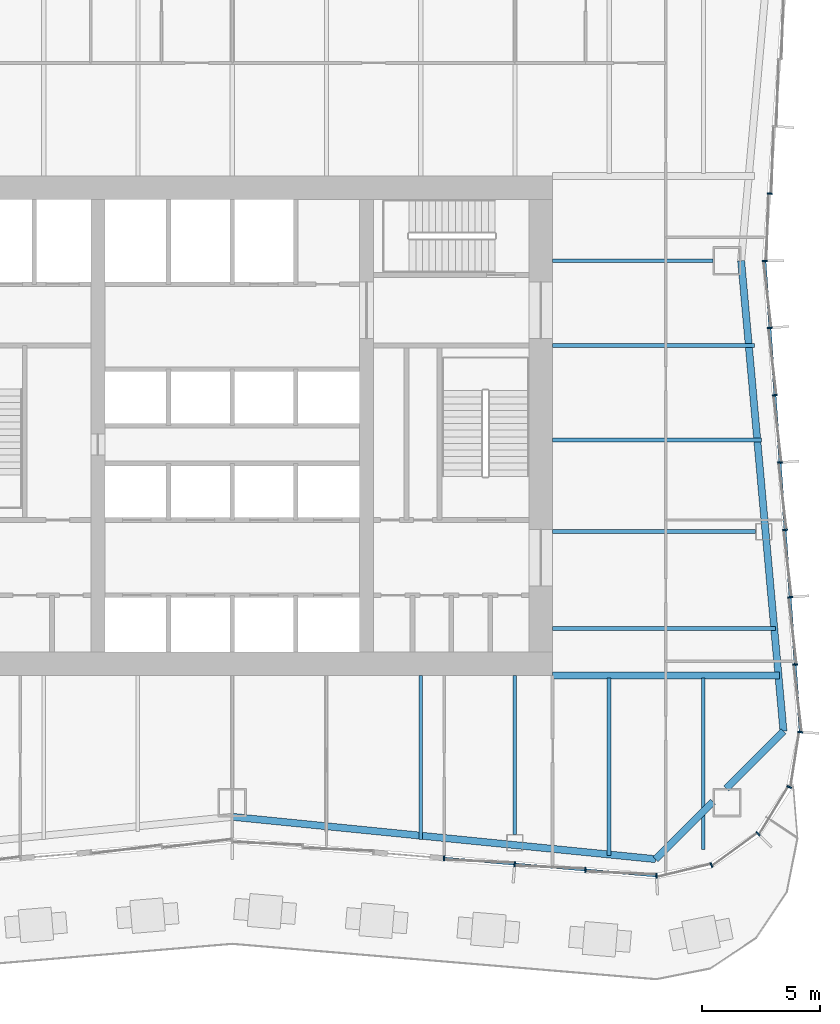
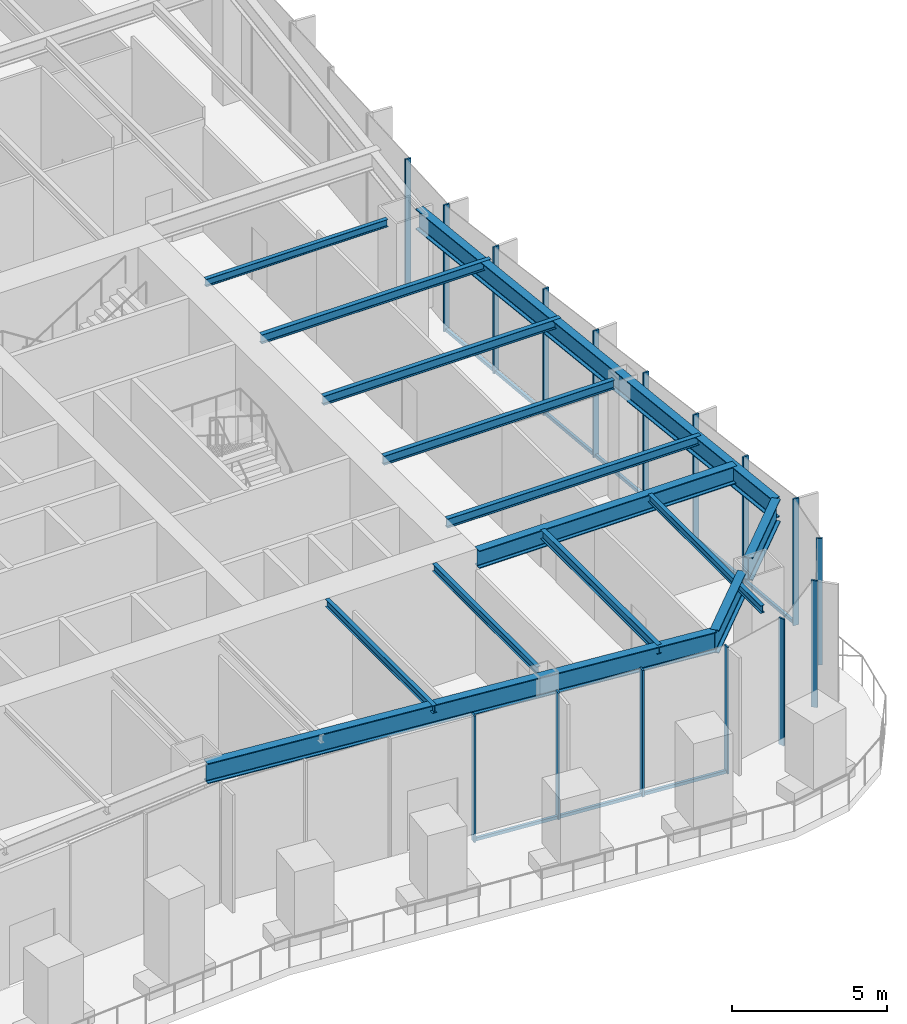
# One storey, part 3 of 15: 18 members, 14 beams, 3 elements without a shape of their own.
"""IFC4 building model written with IfcOpenShell, lengths in metres."""

from ifc_helpers import new_model, si_unit, direction, frame, origin, origin_2d, place, context, subcontext, project, spatial, rectangle, i_section, extrude, material, material_profile, profile_set, type_object, element, aggregate, save


model = new_model("IFC4")

# Units and contexts
model_context = context("Model", 3, precision=1e-05, world=origin(), true_north=direction((0.0, 1.0)))
body_context = subcontext(model_context, "Body", "Model", "MODEL_VIEW")
ifc_project = project(units=[si_unit("LENGTHUNIT", "METRE"), si_unit("AREAUNIT", "SQUARE_METRE"), si_unit("VOLUMEUNIT", "CUBIC_METRE"), si_unit("PLANEANGLEUNIT", "RADIAN"), si_unit("MASSUNIT", "GRAM", prefix="KILO")], contexts=[model_context])

# Site, building, storey
site_placement = place(None, origin())
site = spatial("IfcSite", under=ifc_project, at=site_placement, CompositionType="ELEMENT")
building_placement = place(site_placement, origin())
building = spatial("IfcBuilding", under=site, at=building_placement, Name="Verdant Reach Tower", CompositionType="ELEMENT")
storey_placement = place(building_placement, frame((0.0, 0.0, 121.0)))
storey = spatial("IfcBuildingStorey", under=building, at=storey_placement, Name="L27", CompositionType="ELEMENT", Elevation=121.0)

# Curtain wall, members
ifc_material_1 = material(Name="Anodised aluminium", Category="aluminium")
curtain_wall_type = type_object("IfcCurtainWallType", Name="EN-CW SYSTEM Z2", PredefinedType="NOTDEFINED", material=ifc_material_1)
curtain_wall_1_placement = place(storey_placement, origin())
curtain_wall_1 = element("IfcCurtainWall", 1, at=curtain_wall_1_placement, inside=storey, type_object=curtain_wall_type, Name="Curtain wall south-east corner, L27", PredefinedType="NOTDEFINED")
ifc_material_profile_1 = material_profile(ifc_material_1, rectangle(XDim=0.2119140625, YDim=0.06396484375, at=origin_2d()), Name="Mullion 64x212")
ifc_profile_set_1 = profile_set([ifc_material_profile_1], Name="Anodised aluminium")
member_type_1 = type_object("IfcMemberType", Name="EN-MULLION Z2", PredefinedType="MULLION", material=ifc_profile_set_1)
member_1_placement = place(storey_placement, frame((18.006103515625, 8.894287109375, -0.35009765625), z_axis=(0.0, 0.0, 1.0), x_axis=(0.056569187765, -0.998398681387, 0.0)))
member_1 = element("IfcMember", 2, at=member_1_placement, type_object=member_type_1, Name="Mullion south-east corner 1, L27", PredefinedType="MULLION", context=body_context, shape_type="SweptSolid", body=[
    extrude(rectangle(XDim=0.2119140625, YDim=0.06396484375, at=origin_2d()), origin(), (0.0, 0.0, 1.0), 5.0),
])
member_2_placement = place(storey_placement, frame((20.336669921875, 9.35888671875, -0.35009765625), z_axis=(0.0, 0.0, 1.0), x_axis=(0.382693853776, -0.923875215753, 0.0)))
member_2 = element("IfcMember", 3, at=member_2_placement, type_object=member_type_1, Name="Mullion south-east corner 2, L27", PredefinedType="MULLION", context=body_context, shape_type="SweptSolid", body=[
    extrude(rectangle(XDim=0.2119140625, YDim=0.06396484375, at=origin_2d()), origin(), (0.0, 0.0, 1.0), 5.0),
])
member_3_placement = place(storey_placement, frame((22.317626953125, 10.682373046875, -0.35009765625), z_axis=(0.0, 0.0, 1.0), x_axis=(0.707106781187, -0.707106781187, 0.0)))
member_3 = element("IfcMember", 4, at=member_3_placement, type_object=member_type_1, Name="Mullion south-east corner 3, L27", PredefinedType="MULLION", context=body_context, shape_type="SweptSolid", body=[
    extrude(rectangle(XDim=0.2119140625, YDim=0.06396484375, at=origin_2d()), origin(), (0.0, 0.0, 1.0), 5.0),
])
member_4_placement = place(storey_placement, frame((23.64111328125, 12.663330078125, -0.35009765625), z_axis=(0.0, 0.0, 1.0), x_axis=(0.923875215753, -0.382693853776, 0.0)))
member_4 = element("IfcMember", 5, at=member_4_placement, type_object=member_type_1, Name="Mullion south-east corner 4, L27", PredefinedType="MULLION", context=body_context, shape_type="SweptSolid", body=[
    extrude(rectangle(XDim=0.2119140625, YDim=0.06396484375, at=origin_2d()), origin(), (0.0, 0.0, 1.0), 5.0),
])
aggregate(curtain_wall_1, [member_1, member_2, member_3, member_4])

curtain_wall_2_placement = place(storey_placement, origin())
curtain_wall_2 = element("IfcCurtainWall", 6, at=curtain_wall_2_placement, inside=storey, type_object=curtain_wall_type, Name="Curtain wall east, L27", PredefinedType="NOTDEFINED")
member_5_placement = place(storey_placement, frame((24.105712890625, 14.99365234375, -0.35009765625), z_axis=(0.0, 0.0, 1.0), x_axis=(0.998155887542, -0.060702752526, 0.0)))
member_5 = element("IfcMember", 7, at=member_5_placement, type_object=member_type_1, Name="Mullion east face part 1 1, L27", PredefinedType="MULLION", context=body_context, shape_type="SweptSolid", body=[
    extrude(rectangle(XDim=0.2119140625, YDim=0.06396484375, at=origin_2d()), origin(), (0.0, 0.0, 1.0), 5.0),
])
member_6_placement = place(storey_placement, frame((23.891357421875, 17.864990234375, -0.35009765625), z_axis=(0.0, 0.0, 1.0), x_axis=(0.997199309888, 0.074789948245, 0.0)))
member_6 = element("IfcMember", 8, at=member_6_placement, type_object=member_type_1, Name="Mullion east face part 1 2, L27", PredefinedType="MULLION", context=body_context, shape_type="SweptSolid", body=[
    extrude(rectangle(XDim=0.2119140625, YDim=0.06396484375, at=origin_2d()), origin(), (0.0, 0.0, 1.0), 5.0),
])
member_7_placement = place(storey_placement, frame((23.67724609375, 20.72216796875, -0.35009765625), z_axis=(0.0, 0.0, 1.0), x_axis=(0.997199309888, 0.074789948245, 0.0)))
member_7 = element("IfcMember", 9, at=member_7_placement, type_object=member_type_1, Name="Mullion east face part 1 3, L27", PredefinedType="MULLION", context=body_context, shape_type="SweptSolid", body=[
    extrude(rectangle(XDim=0.2119140625, YDim=0.06396484375, at=origin_2d()), origin(), (0.0, 0.0, 1.0), 5.0),
])
member_8_placement = place(storey_placement, frame((23.462890625, 23.579345703125, -0.35009765625), z_axis=(0.0, 0.0, 1.0), x_axis=(0.997199309888, 0.074789948245, 0.0)))
member_8 = element("IfcMember", 10, at=member_8_placement, type_object=member_type_1, Name="Mullion east face part 1 4, L27", PredefinedType="MULLION", context=body_context, shape_type="SweptSolid", body=[
    extrude(rectangle(XDim=0.2119140625, YDim=0.06396484375, at=origin_2d()), origin(), (0.0, 0.0, 1.0), 5.0),
])
member_9_placement = place(storey_placement, frame((23.24853515625, 26.4365234375, -0.35009765625), z_axis=(0.0, 0.0, 1.0), x_axis=(0.997199309888, 0.074789948245, 0.0)))
member_9 = element("IfcMember", 11, at=member_9_placement, type_object=member_type_1, Name="Mullion east face part 1 5, L27", PredefinedType="MULLION", context=body_context, shape_type="SweptSolid", body=[
    extrude(rectangle(XDim=0.2119140625, YDim=0.06396484375, at=origin_2d()), origin(), (0.0, 0.0, 1.0), 5.0),
])
member_10_placement = place(storey_placement, frame((23.0341796875, 29.293701171875, -0.35009765625), z_axis=(0.0, 0.0, 1.0), x_axis=(0.997199309888, 0.074789948245, 0.0)))
member_10 = element("IfcMember", 12, at=member_10_placement, type_object=member_type_1, Name="Mullion east face part 1 6, L27", PredefinedType="MULLION", context=body_context, shape_type="SweptSolid", body=[
    extrude(rectangle(XDim=0.2119140625, YDim=0.06396484375, at=origin_2d()), origin(), (0.0, 0.0, 1.0), 5.0),
])
member_11_placement = place(storey_placement, frame((22.820068359375, 32.15087890625, -0.35009765625), z_axis=(0.0, 0.0, 1.0), x_axis=(0.997199309888, 0.074789948245, 0.0)))
member_11 = element("IfcMember", 13, at=member_11_placement, type_object=member_type_1, Name="Mullion east face part 1 7, L27", PredefinedType="MULLION", context=body_context, shape_type="SweptSolid", body=[
    extrude(rectangle(XDim=0.2119140625, YDim=0.06396484375, at=origin_2d()), origin(), (0.0, 0.0, 1.0), 5.0),
])
member_12_placement = place(storey_placement, frame((22.60595703125, 35.0, -0.35009765625), z_axis=(0.0, 0.0, 1.0), x_axis=(1.0, 0.0, 0.0)))
member_12 = element("IfcMember", 14, at=member_12_placement, type_object=member_type_1, Name="Mullion east face part 2 1, L27", PredefinedType="MULLION", context=body_context, shape_type="SweptSolid", body=[
    extrude(rectangle(XDim=0.2119140625, YDim=0.06396484375, at=origin_2d()), origin(), (0.0, 0.0, 1.0), 5.0),
])
member_13_placement = place(storey_placement, frame((22.820068359375, 37.84912109375, -0.35009765625), z_axis=(0.0, 0.0, 1.0), x_axis=(0.997199309888, -0.074789948245, 0.0)))
member_13 = element("IfcMember", 15, at=member_13_placement, type_object=member_type_1, Name="Mullion east face part 2 2, L27", PredefinedType="MULLION", context=body_context, shape_type="SweptSolid", body=[
    extrude(rectangle(XDim=0.2119140625, YDim=0.06396484375, at=origin_2d()), origin(), (0.0, 0.0, 1.0), 5.0),
])

curtain_wall_3_placement = place(storey_placement, origin())
curtain_wall_3 = element("IfcCurtainWall", 16, at=curtain_wall_3_placement, inside=storey, type_object=curtain_wall_type, Name="Curtain wall south, L27", PredefinedType="NOTDEFINED")
member_14_placement = place(storey_placement, frame((8.9912109375, 9.644287109375, -0.35009765625), z_axis=(0.0, 0.0, 1.0), x_axis=(-0.083045479859, -0.996545758244, 0.0)))
member_14 = element("IfcMember", 17, at=member_14_placement, type_object=member_type_1, Name="Mullion south face part 2 4, L27", PredefinedType="MULLION", context=body_context, shape_type="SweptSolid", body=[
    extrude(rectangle(XDim=0.2119140625, YDim=0.06396484375, at=origin_2d()), origin(), (0.0, 0.0, 1.0), 5.0),
])
member_15_placement = place(storey_placement, frame((11.9912109375, 9.394287109375, -0.35009765625), z_axis=(0.0, 0.0, 1.0), x_axis=(-0.083045479859, -0.996545758244, 0.0)))
member_15 = element("IfcMember", 18, at=member_15_placement, type_object=member_type_1, Name="Mullion south face part 2 5, L27", PredefinedType="MULLION", context=body_context, shape_type="SweptSolid", body=[
    extrude(rectangle(XDim=0.2119140625, YDim=0.06396484375, at=origin_2d()), origin(), (0.0, 0.0, 1.0), 5.0),
])
member_16_placement = place(storey_placement, frame((14.9912109375, 9.144287109375, -0.35009765625), z_axis=(0.0, 0.0, 1.0), x_axis=(-0.083045479859, -0.996545758244, 0.0)))
member_16 = element("IfcMember", 19, at=member_16_placement, type_object=member_type_1, Name="Mullion south face part 2 6, L27", PredefinedType="MULLION", context=body_context, shape_type="SweptSolid", body=[
    extrude(rectangle(XDim=0.2119140625, YDim=0.06396484375, at=origin_2d()), origin(), (0.0, 0.0, 1.0), 5.0),
])

# Member
ifc_material_profile_2 = material_profile(ifc_material_1, rectangle(XDim=0.10009765625, YDim=0.1240234375, at=origin_2d()), Name="Transom 124x100")
ifc_profile_set_2 = profile_set([ifc_material_profile_2], Name="Anodised aluminium")
member_type_2 = type_object("IfcMemberType", Name="EN-TRANSOM Z2", PredefinedType="USERDEFINED", material=ifc_profile_set_2)
member_17_placement = place(storey_placement, frame((24.103515625, 15.025390625, -0.2880859375), z_axis=(-0.07476111665, 0.997201471839, 0.0), x_axis=(-0.997201471839, -0.07476111665, 0.0)))
member_17 = element("IfcMember", 20, at=member_17_placement, type_object=member_type_2, Name="Transom east face part 1 1.1, L27", ObjectType="TRANSOM", PredefinedType="USERDEFINED", context=body_context, shape_type="SweptSolid", body=[
    extrude(rectangle(XDim=0.10009765625, YDim=0.1240234375, at=origin_2d()), origin(), (0.0, 0.0, 1.0), 19.99853515625),
])

aggregate(curtain_wall_2, [member_5, member_6, member_7, member_8, member_9, member_10, member_11, member_17, member_12, member_13])

member_18_placement = place(storey_placement, frame((9.023193359375, 9.6416015625, -0.2880859375), z_axis=(0.996555312031, -0.08293075463, 0.0), x_axis=(0.08293075463, 0.996555312031, 0.0)))
member_18 = element("IfcMember", 21, at=member_18_placement, type_object=member_type_2, Name="Transom south face part 2 2.1, L27", ObjectType="TRANSOM", PredefinedType="USERDEFINED", context=body_context, shape_type="SweptSolid", body=[
    extrude(rectangle(XDim=0.10009765625, YDim=0.1240234375, at=origin_2d()), origin(), (0.0, 0.0, 1.0), 8.98193359375),
])

aggregate(curtain_wall_3, [member_14, member_15, member_16, member_18])

# Beams
ifc_material_2 = material(Name="Steel S355", Category="steel")
ifc_material_profile_3 = material_profile(ifc_material_2, i_section(OverallWidth=0.300048828125, OverallDepth=0.699951171875, WebThickness=0.01708984375, FlangeThickness=0.031982421875, FilletRadius=0.027099609375, at=origin_2d()), Name="HEB 700")
ifc_profile_set_3 = profile_set([ifc_material_profile_3], Name="Steel S355")
beam_type_1 = type_object("IfcBeamType", Name="ST-BEAM-HEB700", PredefinedType="BEAM", material=ifc_profile_set_3)
beam_1_placement = place(storey_placement, frame((13.60009765625, 17.39990234375, 4.52001953125), z_axis=(1.0, 0.0, 0.0), x_axis=(0.0, 1.0, 0.0)))
element("IfcBeam", 22, at=beam_1_placement, inside=storey, type_object=beam_type_1, Name="Trimmer beam, L27", PredefinedType="BEAM", context=body_context, shape_type="SweptSolid", body=[
    extrude(i_section(OverallWidth=0.300048828125, OverallDepth=0.699951171875, WebThickness=0.01708984375, FlangeThickness=0.031982421875, FilletRadius=0.027099609375, at=origin_2d()), origin(), (0.0, 0.0, 1.0), 9.6181640625),
])
ifc_material_profile_4 = material_profile(ifc_material_2, i_section(OverallWidth=0.14990234375, OverallDepth=0.300048828125, WebThickness=0.007080078125, FlangeThickness=0.0107421875, FilletRadius=0.014892578125, at=origin_2d()), Name="IPE 300")
ifc_profile_set_4 = profile_set([ifc_material_profile_4], Name="Steel S355")
beam_type_2 = type_object("IfcBeamType", Name="ST-JOIST-IPE300", PredefinedType="JOIST", material=ifc_profile_set_4)
beam_2_placement = place(storey_placement, frame((8.0, 17.39990234375, 4.719970703125), z_axis=(0.0, -1.0, 0.0), x_axis=(1.0, 0.0, 0.0)))
element("IfcBeam", 23, at=beam_2_placement, inside=storey, type_object=beam_type_2, Name="Floor joist, L27", PredefinedType="JOIST", context=body_context, shape_type="SweptSolid", body=[
    extrude(i_section(OverallWidth=0.14990234375, OverallDepth=0.300048828125, WebThickness=0.007080078125, FlangeThickness=0.0107421875, FilletRadius=0.014892578125, at=origin_2d()), origin(), (0.0, 0.0, 1.0), 6.964599609375),
])
beam_3_placement = place(storey_placement, frame((12.0, 17.39990234375, 4.719970703125), z_axis=(0.0, -1.0, 0.0), x_axis=(1.0, 0.0, 0.0)))
element("IfcBeam", 24, at=beam_3_placement, inside=storey, type_object=beam_type_2, Name="Floor joist, L27", PredefinedType="JOIST", context=body_context, shape_type="SweptSolid", body=[
    extrude(i_section(OverallWidth=0.14990234375, OverallDepth=0.300048828125, WebThickness=0.007080078125, FlangeThickness=0.0107421875, FilletRadius=0.014892578125, at=origin_2d()), origin(), (0.0, 0.0, 1.0), 6.75),
])
beam_4_placement = place(storey_placement, frame((20.0, 17.300048828125, 4.719970703125), z_axis=(0.0, -1.0, 0.0), x_axis=(1.0, 0.0, 0.0)))
element("IfcBeam", 25, at=beam_4_placement, inside=storey, type_object=beam_type_2, Name="Floor joist, L27", PredefinedType="JOIST", context=body_context, shape_type="SweptSolid", body=[
    extrude(i_section(OverallWidth=0.14990234375, OverallDepth=0.300048828125, WebThickness=0.007080078125, FlangeThickness=0.0107421875, FilletRadius=0.014892578125, at=origin_2d()), origin(), (0.0, 0.0, 1.0), 7.29052734375),
])
beam_5_placement = place(storey_placement, frame((13.60009765625, 35.0, 4.719970703125), z_axis=(1.0, 0.0, 0.0), x_axis=(0.0, 1.0, 0.0)))
element("IfcBeam", 26, at=beam_5_placement, inside=storey, type_object=beam_type_2, Name="Floor joist, L27", PredefinedType="JOIST", context=body_context, shape_type="SweptSolid", body=[
    extrude(i_section(OverallWidth=0.14990234375, OverallDepth=0.300048828125, WebThickness=0.007080078125, FlangeThickness=0.0107421875, FilletRadius=0.014892578125, at=origin_2d()), origin(), (0.0, 0.0, 1.0), 6.7998046875),
])
ifc_material_profile_5 = material_profile(ifc_material_2, i_section(OverallWidth=0.169921875, OverallDepth=0.360107421875, WebThickness=0.008056640625, FlangeThickness=0.0126953125, FilletRadius=0.01806640625, at=origin_2d()), Name="IPE 360")
ifc_profile_set_5 = profile_set([ifc_material_profile_5], Name="Steel S355")
beam_type_3 = type_object("IfcBeamType", Name="ST-JOIST-IPE360", PredefinedType="JOIST", material=ifc_profile_set_5)
beam_6_placement = place(storey_placement, frame((16.0, 17.300048828125, 4.68994140625), z_axis=(0.0, -1.0, 0.0), x_axis=(1.0, 0.0, 0.0)))
element("IfcBeam", 27, at=beam_6_placement, inside=storey, type_object=beam_type_3, Name="Floor joist, L27", PredefinedType="JOIST", context=body_context, shape_type="SweptSolid", body=[
    extrude(i_section(OverallWidth=0.169921875, OverallDepth=0.360107421875, WebThickness=0.008056640625, FlangeThickness=0.0126953125, FilletRadius=0.01806640625, at=origin_2d()), origin(), (0.0, 0.0, 1.0), 7.53125),
])
beam_7_placement = place(storey_placement, frame((13.60009765625, 19.39990234375, 4.68994140625), z_axis=(1.0, 0.0, 0.0), x_axis=(0.0, 1.0, 0.0)))
element("IfcBeam", 28, at=beam_7_placement, inside=storey, type_object=beam_type_3, Name="Floor joist, L27", PredefinedType="JOIST", context=body_context, shape_type="SweptSolid", body=[
    extrude(i_section(OverallWidth=0.169921875, OverallDepth=0.360107421875, WebThickness=0.008056640625, FlangeThickness=0.0126953125, FilletRadius=0.01806640625, at=origin_2d()), origin(), (0.0, 0.0, 1.0), 9.46826171875),
])
beam_8_placement = place(storey_placement, frame((13.60009765625, 23.5, 4.68994140625), z_axis=(1.0, 0.0, 0.0), x_axis=(0.0, 1.0, 0.0)))
element("IfcBeam", 29, at=beam_8_placement, inside=storey, type_object=beam_type_3, Name="Floor joist, L27", PredefinedType="JOIST", context=body_context, shape_type="SweptSolid", body=[
    extrude(i_section(OverallWidth=0.169921875, OverallDepth=0.360107421875, WebThickness=0.008056640625, FlangeThickness=0.0126953125, FilletRadius=0.01806640625, at=origin_2d()), origin(), (0.0, 0.0, 1.0), 8.6123046875),
])
beam_9_placement = place(storey_placement, frame((13.60009765625, 27.39990234375, 4.68994140625), z_axis=(1.0, 0.0, 0.0), x_axis=(0.0, 1.0, 0.0)))
element("IfcBeam", 30, at=beam_9_placement, inside=storey, type_object=beam_type_3, Name="Floor joist, L27", PredefinedType="JOIST", context=body_context, shape_type="SweptSolid", body=[
    extrude(i_section(OverallWidth=0.169921875, OverallDepth=0.360107421875, WebThickness=0.008056640625, FlangeThickness=0.0126953125, FilletRadius=0.01806640625, at=origin_2d()), origin(), (0.0, 0.0, 1.0), 8.8681640625),
])
beam_10_placement = place(storey_placement, frame((13.60009765625, 31.39990234375, 4.68994140625), z_axis=(1.0, 0.0, 0.0), x_axis=(0.0, 1.0, 0.0)))
element("IfcBeam", 31, at=beam_10_placement, inside=storey, type_object=beam_type_3, Name="Floor joist, L27", PredefinedType="JOIST", context=body_context, shape_type="SweptSolid", body=[
    extrude(i_section(OverallWidth=0.169921875, OverallDepth=0.360107421875, WebThickness=0.008056640625, FlangeThickness=0.0126953125, FilletRadius=0.01806640625, at=origin_2d()), origin(), (0.0, 0.0, 1.0), 8.568115234375),
])
ifc_material_profile_6 = material_profile(ifc_material_2, i_section(OverallWidth=0.300048828125, OverallDepth=0.800048828125, WebThickness=0.017578125, FlangeThickness=0.032958984375, FilletRadius=0.030029296875, at=origin_2d()), Name="HEB 800")
ifc_profile_set_6 = profile_set([ifc_material_profile_6], Name="Steel S355")
beam_type_4 = type_object("IfcBeamType", Name="ST-SPANDREL-HEB800", PredefinedType="SPANDREL", material=ifc_profile_set_6)
beam_11_placement = place(storey_placement, frame((17.9658203125, 9.60498046875, 4.469970703125), z_axis=(-0.995046289869, 0.099412680371, 0.0), x_axis=(-0.099412680371, -0.995046289869, 0.0)))
element("IfcBeam", 32, at=beam_11_placement, inside=storey, type_object=beam_type_4, Name="Edge beam, L27", PredefinedType="SPANDREL", context=body_context, shape_type="SweptSolid", body=[
    extrude(i_section(OverallWidth=0.300048828125, OverallDepth=0.800048828125, WebThickness=0.017578125, FlangeThickness=0.032958984375, FilletRadius=0.030029296875, at=origin_2d()), origin(), (0.0, 0.0, 1.0), 18.05517578125),
])
beam_12_placement = place(storey_placement, frame((21.60009765625, 35.0, 4.469970703125), z_axis=(0.089574749266, -0.995980102358, 0.0), x_axis=(0.995980102358, 0.089574749266, 0.0)))
element("IfcBeam", 33, at=beam_12_placement, inside=storey, type_object=beam_type_4, Name="Edge beam, L27", PredefinedType="SPANDREL", context=body_context, shape_type="SweptSolid", body=[
    extrude(i_section(OverallWidth=0.300048828125, OverallDepth=0.800048828125, WebThickness=0.017578125, FlangeThickness=0.032958984375, FilletRadius=0.030029296875, at=origin_2d()), origin(), (0.0, 0.0, 1.0), 20.043701171875),
])
ifc_material_profile_7 = material_profile(ifc_material_2, i_section(OverallWidth=0.302001953125, OverallDepth=0.909912109375, WebThickness=0.02099609375, FlangeThickness=0.0400390625, FilletRadius=0.030029296875, at=origin_2d()), Name="HEM 900")
ifc_profile_set_7 = profile_set([ifc_material_profile_7], Name="Steel S355")
beam_type_5 = type_object("IfcBeamType", Name="ST-SPANDREL-HEM900", PredefinedType="SPANDREL", material=ifc_profile_set_7)
beam_13_placement = place(storey_placement, frame((23.3955078125, 15.036865234375, 4.4150390625), z_axis=(-0.706965048022, -0.707248485948, 0.0), x_axis=(0.707248485948, -0.706965048022, 0.0)))
element("IfcBeam", 34, at=beam_13_placement, inside=storey, type_object=beam_type_5, Name="Edge beam, L27", PredefinedType="SPANDREL", context=body_context, shape_type="SweptSolid", body=[
    extrude(i_section(OverallWidth=0.302001953125, OverallDepth=0.909912109375, WebThickness=0.02099609375, FlangeThickness=0.0400390625, FilletRadius=0.030029296875, at=origin_2d()), origin(), (0.0, 0.0, 1.0), 3.4453125),
])
beam_14_placement = place(storey_placement, frame((20.39990234375, 12.0400390625, 4.4150390625), z_axis=(-0.70696494852, -0.70724858541, 0.0), x_axis=(0.70724858541, -0.70696494852, 0.0)))
element("IfcBeam", 35, at=beam_14_placement, inside=storey, type_object=beam_type_5, Name="Edge beam, L27", PredefinedType="SPANDREL", context=body_context, shape_type="SweptSolid", body=[
    extrude(i_section(OverallWidth=0.302001953125, OverallDepth=0.909912109375, WebThickness=0.02099609375, FlangeThickness=0.0400390625, FilletRadius=0.030029296875, at=origin_2d()), origin(), (0.0, 0.0, 1.0), 3.443115234375),
])

save(model, "model.ifc")
